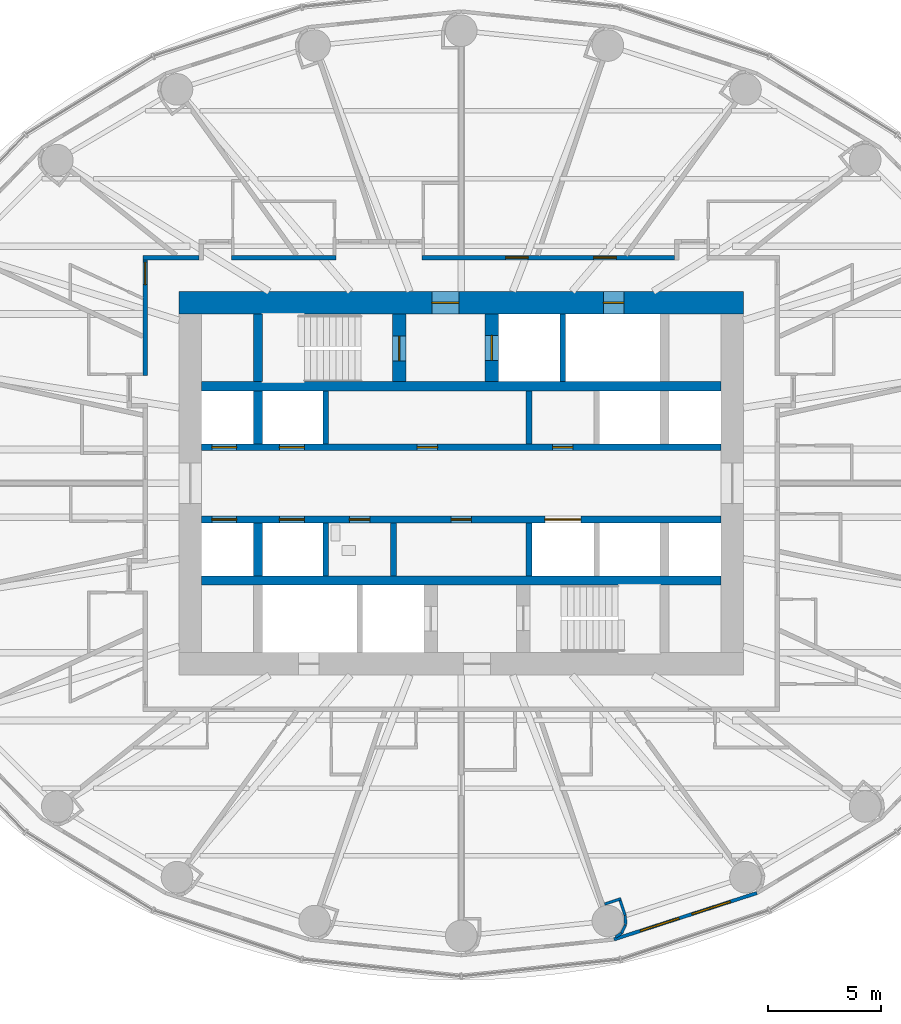
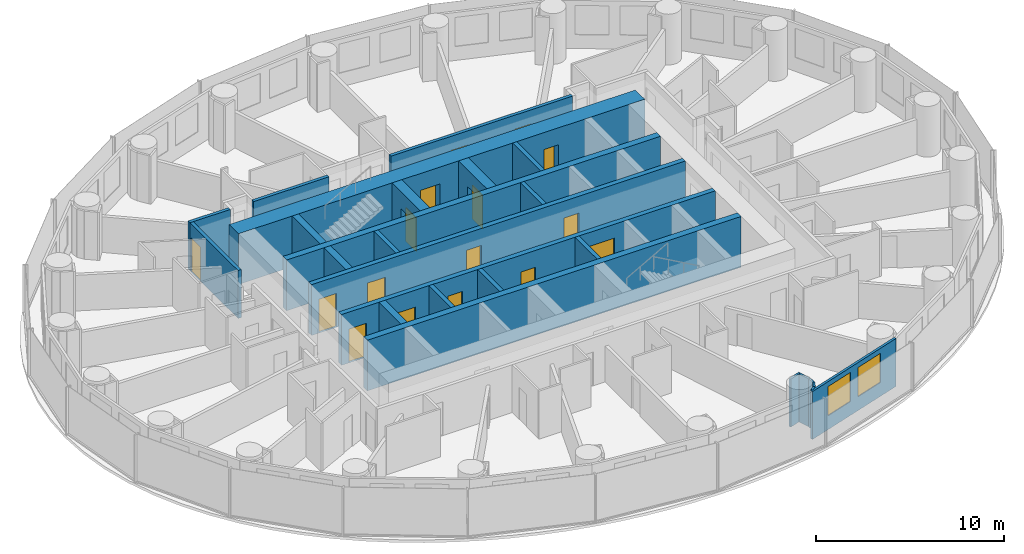
# One storey, part 9 of 16: 26 walls, 16 doors, 2 windows, 18 openings.
"""IFC4 building model written with IfcOpenShell, lengths in metres."""

import ifcopenshell
import ifcopenshell.guid

model = None  # the IFC model being written
_history = None  # IfcOwnerHistory: only IFC2X3 demands one
_inside = {}  # id of a spatial element -> (the spatial element, [elements in it])
_under = {}  # id of a project, library or spatial element -> (it, [spatial elements below it])
_declared = {}  # id of a project -> (the project, [libraries it declares])
_typed = {}  # id of a type object -> (the type object, [elements of that type])
_made_of = {}  # id of a material, layer set ... -> (it, [elements and type objects made of it])


def new_model(schema):
    """Start an empty IFC model of exactly this schema.

    Asked for "IFC4X3", IfcOpenShell would pick the latest addendum, in which some entities
    have other attributes; the version numbers below select the first issue.
    IFC2X3 requires an IfcOwnerHistory on every rooted entity: one is made here for all.
    """
    global model, _history
    if schema == "IFC4X3":
        model = ifcopenshell.file(schema_version=(4, 3, 0, 0))
    else:
        model = ifcopenshell.file(schema=schema)
    _inside.clear()
    _under.clear()
    _declared.clear()
    _typed.clear()
    _made_of.clear()
    _history = None
    if model.schema == "IFC2X3":
        org = make("IfcOrganization", Name="unknown")
        user = make(
            "IfcPersonAndOrganization",
            ThePerson=make("IfcPerson", FamilyName="unknown"),
            TheOrganization=org,
        )
        app = make(
            "IfcApplication",
            ApplicationDeveloper=org,
            Version="unknown",
            ApplicationFullName="unknown",
            ApplicationIdentifier="unknown",
        )
        _history = make(
            "IfcOwnerHistory",
            OwningUser=user,
            OwningApplication=app,
            ChangeAction="ADDED",
            CreationDate=0,
        )
    return model


def make(cls, **values):
    """One entity of the class cls with the attributes given. An attribute that is None is left unset."""
    return model.create_entity(
        cls, **{name: value for name, value in values.items() if value is not None}
    )


def rooted(cls, **values):
    """An entity with a GlobalId (a new one), such as an element, a storey or a relation."""
    return make(cls, GlobalId=ifcopenshell.guid.new(), OwnerHistory=_history, **values)


def si_unit(unit_type, name, prefix=None):
    """IfcSIUnit, for example si_unit("LENGTHUNIT", "METRE", prefix="MILLI")."""
    return make("IfcSIUnit", UnitType=unit_type, Prefix=prefix, Name=name)


def assignment(units):
    """IfcUnitAssignment: the units of a project."""
    return None if units is None else make("IfcUnitAssignment", Units=units)


def point(xyz):
    """IfcCartesianPoint."""
    return None if xyz is None else make("IfcCartesianPoint", Coordinates=xyz)


def direction(xyz):
    """IfcDirection."""
    return None if xyz is None else make("IfcDirection", DirectionRatios=xyz)


def frame(location, z_axis=None, x_axis=None):
    """IfcAxis2Placement3D, a coordinate frame: its origin and axes. An axis left out is left unset."""
    return make(
        "IfcAxis2Placement3D",
        Location=point(location),
        Axis=direction(z_axis),
        RefDirection=direction(x_axis),
    )


def frame_2d(location, x_axis=None):
    """IfcAxis2Placement2D, a coordinate frame in the plane: its origin and x axis."""
    return make(
        "IfcAxis2Placement2D", Location=point(location), RefDirection=direction(x_axis)
    )


def origin():
    """The frame at (0, 0, 0) with its axes left unset."""
    return frame((0.0, 0.0, 0.0))


def place(relative_to, where):
    """IfcLocalPlacement: puts the frame where relative to a parent placement (None: the world)."""
    return make(
        "IfcLocalPlacement", PlacementRelTo=relative_to, RelativePlacement=where
    )


def context(
    kind, dimensions, precision=None, world=None, true_north=None, identifier=None
):
    """IfcGeometricRepresentationContext, for example the 3D "Model" context."""
    return make(
        "IfcGeometricRepresentationContext",
        ContextIdentifier=identifier,
        ContextType=kind,
        CoordinateSpaceDimension=dimensions,
        Precision=precision,
        WorldCoordinateSystem=world,
        TrueNorth=true_north,
    )


def subcontext(parent, identifier, kind, view, scale=None):
    """IfcGeometricRepresentationSubContext, for example "Body" below "Model"."""
    return make(
        "IfcGeometricRepresentationSubContext",
        ContextIdentifier=identifier,
        ContextType=kind,
        ParentContext=parent,
        TargetScale=scale,
        TargetView=view,
    )


def project(units=None, contexts=None):
    """IfcProject with its units and contexts."""
    return rooted(
        "IfcProject",
        Name="project",
        RepresentationContexts=contexts,
        UnitsInContext=assignment(units),
    )


def spatial(cls, under=None, at=None, **own):
    """A site, building, storey or space (cls), placed at a placement, below another one or the project."""
    s = rooted(cls, ObjectPlacement=at, **own)
    if under is not None:
        _under.setdefault(under.id(), (under, []))[1].append(s)
    return s


def profile(cls, at=None, kind="AREA", **sizes):
    """A parametric profile (cls). Its sizes go by their IFC names, for example OverallWidth=200.0."""
    return make(cls, ProfileType=kind, Position=at, **sizes)


def rectangle(**sizes):
    """IfcRectangleProfileDef."""
    return profile("IfcRectangleProfileDef", **sizes)


def extrude(swept, where, along, depth):
    """IfcExtrudedAreaSolid: the profile swept, set in the frame where, extruded along a direction by depth."""
    return make(
        "IfcExtrudedAreaSolid",
        SweptArea=swept,
        Position=where,
        ExtrudedDirection=direction(along),
        Depth=depth,
    )


def shape(context_of_items, identifier, shape_type, items):
    """IfcShapeRepresentation: the items that make up one representation, for example the "Body"."""
    return make(
        "IfcShapeRepresentation",
        ContextOfItems=context_of_items,
        RepresentationIdentifier=identifier,
        RepresentationType=shape_type,
        Items=items,
    )


def material(Name=None, Category=None):
    """IfcMaterial."""
    return make("IfcMaterial", Name=Name, Category=Category)


def layer(
    of_material, thickness, ventilated=None, Name=None, Category=None, Priority=None
):
    """IfcMaterialLayer: one layer of a wall or slab, of a material (None: an air gap)."""
    return make(
        "IfcMaterialLayer",
        Material=of_material,
        LayerThickness=thickness,
        IsVentilated=ventilated,
        Name=Name,
        Category=Category,
        Priority=Priority,
    )


def layer_set(layers, Name=None):
    """IfcMaterialLayerSet."""
    return make("IfcMaterialLayerSet", MaterialLayers=layers, LayerSetName=Name)


def made_of(thing, what):
    """Note that an element or type object is made of a material, layer set ...; save() writes the relation."""
    if what is not None:
        _made_of.setdefault(what.id(), (what, []))[1].append(thing)
    return thing


def type_object(cls, material=None, **own):
    """A type object (cls), such as IfcWallType, which elements share."""
    return made_of(rooted(cls, **own), material)


def element(
    cls,
    number,
    at=None,
    inside=None,
    cuts=None,
    type_object=None,
    material=None,
    context=None,
    identifier="Body",
    shape_type=None,
    held_by="IfcProductDefinitionShape",
    body=None,
    shapes=None,
    **own,
):
    """One element of the class cls, such as IfcWall. Its Tag is "e" and its number.

    at: its placement. inside: the storey or other place that contains it. cuts: it is an
    opening in that element (IfcRelVoidsElement). A single representation is given by context,
    identifier, shape_type and body (its items); several are given by shapes. held_by: the class
    of the entity that holds the representations. save() writes the other relations.
    """
    e = rooted(cls, Tag="e%d" % number, ObjectPlacement=at, **own)
    if body is not None:
        shapes = [shape(context, identifier, shape_type, body)]
    if shapes is not None:
        e.Representation = make(held_by, Representations=shapes)
    if inside is not None:
        _inside.setdefault(inside.id(), (inside, []))[1].append(e)
    if cuts is not None:
        rooted(
            "IfcRelVoidsElement", RelatingBuildingElement=cuts, RelatedOpeningElement=e
        )
    if type_object is not None:
        _typed.setdefault(type_object.id(), (type_object, []))[1].append(e)
    return made_of(e, material)


def fill(opening, filler):
    """IfcRelFillsElement: the door or window that sits in an opening."""
    return rooted(
        "IfcRelFillsElement",
        RelatingOpeningElement=opening,
        RelatedBuildingElement=filler,
    )


def aggregate(whole, parts):
    """IfcRelAggregates: a whole, such as a stair, and the parts it consists of."""
    return rooted("IfcRelAggregates", RelatingObject=whole, RelatedObjects=parts)


def save(model, path):
    """Write the relations noted so far, then the file.

    IfcRelAggregates (storeys below a building ...), IfcRelContainedInSpatialStructure (elements
    in a storey), IfcRelDefinesByType, IfcRelAssociatesMaterial and IfcRelDeclares: one each for
    every whole, place, type object, material and project.
    """
    for whole, parts in _under.values():
        aggregate(whole, parts)
    for where, things in _inside.values():
        rooted(
            "IfcRelContainedInSpatialStructure",
            RelatedElements=things,
            RelatingStructure=where,
        )
    for kind, things in _typed.values():
        rooted("IfcRelDefinesByType", RelatedObjects=things, RelatingType=kind)
    for what, things in _made_of.values():
        rooted("IfcRelAssociatesMaterial", RelatedObjects=things, RelatingMaterial=what)
    for by, libraries in _declared.values():
        rooted("IfcRelDeclares", RelatingContext=by, RelatedDefinitions=libraries)
    model.write(path)


model = new_model("IFC4")

# Units and contexts
model_context = context("Model", 3, precision=1e-05, world=origin(), true_north=direction((0.0, 1.0)))
body_context = subcontext(model_context, "Body", "Model", "MODEL_VIEW")
ifc_project = project(units=[si_unit("LENGTHUNIT", "METRE"), si_unit("AREAUNIT", "SQUARE_METRE"), si_unit("VOLUMEUNIT", "CUBIC_METRE"), si_unit("PLANEANGLEUNIT", "RADIAN"), si_unit("MASSUNIT", "GRAM", prefix="KILO")], contexts=[model_context])

# Site, building, storey
site_placement = place(None, origin())
site = spatial("IfcSite", under=ifc_project, at=site_placement, CompositionType="ELEMENT")
building_placement = place(site_placement, origin())
building = spatial("IfcBuilding", under=site, at=building_placement, Name="Hankou Lantern Tower", CompositionType="ELEMENT")
storey_placement = place(building_placement, frame((0.0, 0.0, 70.5)))
storey = spatial("IfcBuildingStorey", under=building, at=storey_placement, Name="L17", CompositionType="ELEMENT", Elevation=70.5)

# Wall, openings, doors
ifc_material_1 = material(Name="Concrete C60", Category="concrete")
ifc_layer_1 = layer(ifc_material_1, 1.0)
ifc_layer_set_1 = layer_set([ifc_layer_1], Name="Concrete C60")
wall_type_1 = type_object("IfcWallType", Name="CW1 CORE WALL 1000", PredefinedType="SHEAR", material=ifc_layer_set_1)
wall_1_placement = place(storey_placement, frame((-12.5, 8.0, 0.0), z_axis=(0.0, 0.0, 1.0), x_axis=(1.0, 0.0, 0.0)))
wall_1 = element("IfcWall", 1, at=wall_1_placement, inside=storey, type_object=wall_type_1, Name="Core wall north L17", PredefinedType="SHEAR", context=body_context, shape_type="SweptSolid", body=[
    extrude(rectangle(XDim=25.0, YDim=1.0, at=frame_2d((12.5, 0.0))), origin(), (0.0, 0.0, 1.0), 3.300048828125),
])
opening_1_placement = place(wall_1_placement, frame((11.199951171875, 0.0, 0.0)))
opening_1 = element("IfcOpeningElement", 2, at=opening_1_placement, cuts=wall_1, Name="Opening D5", PredefinedType="OPENING", context=body_context, shape_type="SweptSolid", body=[
    extrude(rectangle(XDim=1.199951171875, YDim=2.199951171875, at=frame_2d((0.60009765625, 1.10009765625))), frame((0.0, 0.510009765625, 0.0), z_axis=(0.0, -1.0, 0.0), x_axis=(1.0, 0.0, 0.0)), (0.0, 0.0, 1.0), 1.02001953125),
])
opening_2_placement = place(wall_1_placement, frame((18.800048828125, 0.0, 0.0)))
opening_2 = element("IfcOpeningElement", 3, at=opening_2_placement, cuts=wall_1, Name="Opening D7", PredefinedType="OPENING", context=body_context, shape_type="SweptSolid", body=[
    extrude(rectangle(XDim=0.89990234375, YDim=2.199951171875, at=frame_2d((0.449951171875, 1.10009765625))), frame((0.0, 0.510009765625, 0.0), z_axis=(0.0, -1.0, 0.0), x_axis=(1.0, 0.0, 0.0)), (0.0, 0.0, 1.0), 1.02001953125),
])
ifc_material_2 = material(Name="Steel door leaf", Category="steel")
door_type_1 = type_object("IfcDoorType", Name="D5 STAIR LOBBY DOOR 1200X2200", OperationType="SINGLE_SWING_LEFT", PredefinedType="DOOR", material=ifc_material_2)
door_1_placement = place(opening_1_placement, origin())
door_1 = element("IfcDoor", 4, at=door_1_placement, inside=storey, type_object=door_type_1, Name="Stair A lobby door", OperationType="SINGLE_SWING_LEFT", OverallHeight=2.199951171875, OverallWidth=1.199951171875, PredefinedType="DOOR", context=body_context, shape_type="SweptSolid", body=[
    extrude(rectangle(XDim=1.199951171875, YDim=2.199951171875, at=frame_2d((0.60009765625, 1.10009765625))), frame((0.0, 0.02490234375, 0.0), z_axis=(0.0, -1.0, 0.0), x_axis=(1.0, 0.0, 0.0)), (0.0, 0.0, 1.0), 0.050048828125),
])
fill(opening_1, door_1)
ifc_material_3 = material(Name="Steel door leaf", Category="steel")
door_type_2 = type_object("IfcDoorType", Name="D7 RISER DOOR 900X2200", OperationType="SINGLE_SWING_LEFT", PredefinedType="DOOR", material=ifc_material_3)
door_2_placement = place(opening_2_placement, origin())
door_2 = element("IfcDoor", 5, at=door_2_placement, inside=storey, type_object=door_type_2, Name="Riser N1 door", OperationType="SINGLE_SWING_RIGHT", OverallHeight=2.199951171875, OverallWidth=0.89990234375, PredefinedType="DOOR", context=body_context, shape_type="SweptSolid", body=[
    extrude(rectangle(XDim=0.89990234375, YDim=2.199951171875, at=frame_2d((0.449951171875, 1.10009765625))), frame((0.0, 0.02490234375, 0.0), z_axis=(0.0, -1.0, 0.0), x_axis=(1.0, 0.0, 0.0)), (0.0, 0.0, 1.0), 0.050048828125),
])
fill(opening_2, door_2)

# Walls
ifc_material_4 = material(Name="Concrete C60", Category="concrete")
ifc_layer_2 = layer(ifc_material_4, 0.39990234375)
ifc_layer_set_2 = layer_set([ifc_layer_2], Name="Concrete C60")
wall_type_2 = type_object("IfcWallType", Name="CW4 CORE CROSS WALL 400", PredefinedType="SHEAR", material=ifc_layer_set_2)
for number, where, z_axis, x_axis, name in (
    (6, (-11.5, 4.300048828125, 0.0), (0.0, 0.0, 1.0), (1.0, 0.0, 0.0), "Core band wall north L17"),
    (7, (-11.5, -4.300048828125, 0.0), (0.0, 0.0, 1.0), (1.0, 0.0, 0.0), "Core band wall south L17"),
):
    element("IfcWall", number, at=place(storey_placement, frame(where, z_axis=z_axis, x_axis=x_axis)), inside=storey, type_object=wall_type_2, Name=name, PredefinedType="SHEAR", context=body_context, shape_type="SweptSolid", body=[
        extrude(rectangle(XDim=23.0, YDim=0.39990234375, at=frame_2d((11.5, 0.0))), origin(), (0.0, 0.0, 1.0), 3.300048828125),
    ])
wall_2_placement = place(storey_placement, frame((-9.0, 4.5, 0.0), z_axis=(0.0, 0.0, 1.0), x_axis=(0.0, 1.0, 0.0)))
element("IfcWall", 8, at=wall_2_placement, inside=storey, type_object=wall_type_2, Name="Core strip wall L17", PredefinedType="SHEAR", context=body_context, shape_type="SweptSolid", body=[
    extrude(rectangle(XDim=3.0, YDim=0.39990234375, at=frame_2d((1.5, 0.0))), origin(), (0.0, 0.0, 1.0), 3.300048828125),
])
for number, where, z_axis, x_axis, name in (
    (9, (-9.0, 1.75, 0.0), (0.0, 0.0, 1.0), (0.0, 1.0, 0.0), "Core strip wall L17"),
    (10, (-9.0, -4.10009765625, 0.0), (0.0, 0.0, 1.0), (0.0, 1.0, 0.0), "Core strip wall L17"),
):
    element("IfcWall", number, at=place(storey_placement, frame(where, z_axis=z_axis, x_axis=x_axis)), inside=storey, type_object=wall_type_2, Name=name, PredefinedType="SHEAR", context=body_context, shape_type="SweptSolid", body=[
        extrude(rectangle(XDim=2.35009765625, YDim=0.39990234375, at=frame_2d((1.175048828125, 0.0))), origin(), (0.0, 0.0, 1.0), 3.300048828125),
    ])

# Wall, openings, doors
ifc_material_5 = material(Name="Concrete C60", Category="concrete")
ifc_layer_3 = layer(ifc_material_5, 0.300048828125)
ifc_layer_set_3 = layer_set([ifc_layer_3], Name="Concrete C60")
wall_type_3 = type_object("IfcWallType", Name="CW5 LIFT LOBBY WALL 300", PredefinedType="SHEAR", material=ifc_layer_set_3)
wall_3_placement = place(storey_placement, frame((-11.5, 1.60009765625, 0.0), z_axis=(0.0, 0.0, 1.0), x_axis=(1.0, 0.0, 0.0)))
wall_3 = element("IfcWall", 11, at=wall_3_placement, inside=storey, type_object=wall_type_3, Name="Lift lobby wall north L17", PredefinedType="SHEAR", context=body_context, shape_type="SweptSolid", body=[
    extrude(rectangle(XDim=23.0, YDim=0.300048828125, at=frame_2d((11.5, 0.0))), origin(), (0.0, 0.0, 1.0), 3.300048828125),
])
opening_3_placement = place(wall_3_placement, frame((0.449951171875, 0.0, 0.0)))
opening_3 = element("IfcOpeningElement", 12, at=opening_3_placement, cuts=wall_3, Name="Opening LD1", PredefinedType="OPENING", context=body_context, shape_type="SweptSolid", body=[
    extrude(rectangle(XDim=1.10009765625, YDim=2.199951171875, at=frame_2d((0.550048828125, 1.10009765625))), frame((0.0, 0.159912109375, 0.0), z_axis=(0.0, -1.0, 0.0), x_axis=(1.0, 0.0, 0.0)), (0.0, 0.0, 1.0), 0.320068359375),
])
opening_4_placement = place(wall_3_placement, frame((3.449951171875, 0.0, 0.0)))
opening_4 = element("IfcOpeningElement", 13, at=opening_4_placement, cuts=wall_3, Name="Opening LD1", PredefinedType="OPENING", context=body_context, shape_type="SweptSolid", body=[
    extrude(rectangle(XDim=1.10009765625, YDim=2.199951171875, at=frame_2d((0.550048828125, 1.10009765625))), frame((0.0, 0.159912109375, 0.0), z_axis=(0.0, -1.0, 0.0), x_axis=(1.0, 0.0, 0.0)), (0.0, 0.0, 1.0), 0.320068359375),
])
opening_5_placement = place(wall_3_placement, frame((9.550048828125, 0.0, 0.0)))
opening_5 = element("IfcOpeningElement", 14, at=opening_5_placement, cuts=wall_3, Name="Opening D30", PredefinedType="OPENING", context=body_context, shape_type="SweptSolid", body=[
    extrude(rectangle(XDim=0.89990234375, YDim=2.199951171875, at=frame_2d((0.449951171875, 1.10009765625))), frame((0.0, 0.159912109375, 0.0), z_axis=(0.0, -1.0, 0.0), x_axis=(1.0, 0.0, 0.0)), (0.0, 0.0, 1.0), 0.320068359375),
])
opening_6_placement = place(wall_3_placement, frame((15.550048828125, 0.0, 0.0)))
opening_6 = element("IfcOpeningElement", 15, at=opening_6_placement, cuts=wall_3, Name="Opening D30", PredefinedType="OPENING", context=body_context, shape_type="SweptSolid", body=[
    extrude(rectangle(XDim=0.89990234375, YDim=2.199951171875, at=frame_2d((0.449951171875, 1.10009765625))), frame((0.0, 0.159912109375, 0.0), z_axis=(0.0, -1.0, 0.0), x_axis=(1.0, 0.0, 0.0)), (0.0, 0.0, 1.0), 0.320068359375),
])
ifc_material_6 = material(Name="Steel door leaf", Category="steel")
door_type_3 = type_object("IfcDoorType", Name="D30 CORE ROOM DOOR 900X2200", OperationType="SINGLE_SWING_LEFT", PredefinedType="DOOR", material=ifc_material_6)
door_3_placement = place(opening_5_placement, origin())
door_3 = element("IfcDoor", 16, at=door_3_placement, inside=storey, type_object=door_type_3, Name="Vending room door", OperationType="SINGLE_SWING_LEFT", OverallHeight=2.199951171875, OverallWidth=0.89990234375, PredefinedType="DOOR", context=body_context, shape_type="SweptSolid", body=[
    extrude(rectangle(XDim=0.89990234375, YDim=2.199951171875, at=frame_2d((0.449951171875, 1.10009765625))), frame((0.0, 0.02490234375, 0.0), z_axis=(0.0, -1.0, 0.0), x_axis=(1.0, 0.0, 0.0)), (0.0, 0.0, 1.0), 0.050048828125),
])
fill(opening_5, door_3)
door_4_placement = place(opening_6_placement, origin())
door_4 = element("IfcDoor", 17, at=door_4_placement, inside=storey, type_object=door_type_3, Name="Room service pantry door", OperationType="SINGLE_SWING_RIGHT", OverallHeight=2.199951171875, OverallWidth=0.89990234375, PredefinedType="DOOR", context=body_context, shape_type="SweptSolid", body=[
    extrude(rectangle(XDim=0.89990234375, YDim=2.199951171875, at=frame_2d((0.449951171875, 1.10009765625))), frame((0.0, 0.02490234375, 0.0), z_axis=(0.0, -1.0, 0.0), x_axis=(1.0, 0.0, 0.0)), (0.0, 0.0, 1.0), 0.050048828125),
])
fill(opening_6, door_4)
ifc_material_7 = material(Name="Steel door leaf", Category="steel")
door_type_4 = type_object("IfcDoorType", Name="LD1 LIFT LANDING DOOR 1100X2200", OperationType="DOUBLE_DOOR_SLIDING", PredefinedType="DOOR", material=ifc_material_7)
door_5_placement = place(opening_3_placement, origin())
door_5 = element("IfcDoor", 18, at=door_5_placement, inside=storey, type_object=door_type_4, Name="Lift L1 landing door", OperationType="DOUBLE_DOOR_SLIDING", OverallHeight=2.199951171875, OverallWidth=1.10009765625, PredefinedType="DOOR", context=body_context, shape_type="SweptSolid", body=[
    extrude(rectangle(XDim=1.10009765625, YDim=2.199951171875, at=frame_2d((0.550048828125, 1.10009765625))), frame((0.0, 0.02490234375, 0.0), z_axis=(0.0, -1.0, 0.0), x_axis=(1.0, 0.0, 0.0)), (0.0, 0.0, 1.0), 0.050048828125),
])
fill(opening_3, door_5)
door_6_placement = place(opening_4_placement, origin())
door_6 = element("IfcDoor", 19, at=door_6_placement, inside=storey, type_object=door_type_4, Name="Lift L2 landing door", OperationType="DOUBLE_DOOR_SLIDING", OverallHeight=2.199951171875, OverallWidth=1.10009765625, PredefinedType="DOOR", context=body_context, shape_type="SweptSolid", body=[
    extrude(rectangle(XDim=1.10009765625, YDim=2.199951171875, at=frame_2d((0.550048828125, 1.10009765625))), frame((0.0, 0.02490234375, 0.0), z_axis=(0.0, -1.0, 0.0), x_axis=(1.0, 0.0, 0.0)), (0.0, 0.0, 1.0), 0.050048828125),
])
fill(opening_4, door_6)

wall_4_placement = place(storey_placement, frame((-11.5, -1.60009765625, 0.0), z_axis=(0.0, 0.0, 1.0), x_axis=(1.0, 0.0, 0.0)))
wall_4 = element("IfcWall", 20, at=wall_4_placement, inside=storey, type_object=wall_type_3, Name="Lift lobby wall south L17", PredefinedType="SHEAR", context=body_context, shape_type="SweptSolid", body=[
    extrude(rectangle(XDim=23.0, YDim=0.300048828125, at=frame_2d((11.5, 0.0))), origin(), (0.0, 0.0, 1.0), 3.300048828125),
])
opening_7_placement = place(wall_4_placement, frame((0.449951171875, 0.0, 0.0)))
opening_7 = element("IfcOpeningElement", 21, at=opening_7_placement, cuts=wall_4, Name="Opening LD1", PredefinedType="OPENING", context=body_context, shape_type="SweptSolid", body=[
    extrude(rectangle(XDim=1.10009765625, YDim=2.199951171875, at=frame_2d((0.550048828125, 1.10009765625))), frame((0.0, 0.159912109375, 0.0), z_axis=(0.0, -1.0, 0.0), x_axis=(1.0, 0.0, 0.0)), (0.0, 0.0, 1.0), 0.320068359375),
])
opening_8_placement = place(wall_4_placement, frame((3.449951171875, 0.0, 0.0)))
opening_8 = element("IfcOpeningElement", 22, at=opening_8_placement, cuts=wall_4, Name="Opening LD1", PredefinedType="OPENING", context=body_context, shape_type="SweptSolid", body=[
    extrude(rectangle(XDim=1.10009765625, YDim=2.199951171875, at=frame_2d((0.550048828125, 1.10009765625))), frame((0.0, 0.159912109375, 0.0), z_axis=(0.0, -1.0, 0.0), x_axis=(1.0, 0.0, 0.0)), (0.0, 0.0, 1.0), 0.320068359375),
])
opening_9_placement = place(wall_4_placement, frame((15.199951171875, 0.0, 0.0)))
opening_9 = element("IfcOpeningElement", 23, at=opening_9_placement, cuts=wall_4, Name="Opening LD4", PredefinedType="OPENING", context=body_context, shape_type="SweptSolid", body=[
    extrude(rectangle(XDim=1.60009765625, YDim=2.39990234375, at=frame_2d((0.800048828125, 1.199951171875))), frame((0.0, 0.159912109375, 0.0), z_axis=(0.0, -1.0, 0.0), x_axis=(1.0, 0.0, 0.0)), (0.0, 0.0, 1.0), 0.320068359375),
])
opening_10_placement = place(wall_4_placement, frame((6.550048828125, 0.0, 0.0)))
opening_10 = element("IfcOpeningElement", 24, at=opening_10_placement, cuts=wall_4, Name="Opening D30", PredefinedType="OPENING", context=body_context, shape_type="SweptSolid", body=[
    extrude(rectangle(XDim=0.89990234375, YDim=2.199951171875, at=frame_2d((0.449951171875, 1.10009765625))), frame((0.0, 0.159912109375, 0.0), z_axis=(0.0, -1.0, 0.0), x_axis=(1.0, 0.0, 0.0)), (0.0, 0.0, 1.0), 0.320068359375),
])
opening_11_placement = place(wall_4_placement, frame((11.050048828125, 0.0, 0.0)))
opening_11 = element("IfcOpeningElement", 25, at=opening_11_placement, cuts=wall_4, Name="Opening D30", PredefinedType="OPENING", context=body_context, shape_type="SweptSolid", body=[
    extrude(rectangle(XDim=0.89990234375, YDim=2.199951171875, at=frame_2d((0.449951171875, 1.10009765625))), frame((0.0, 0.159912109375, 0.0), z_axis=(0.0, -1.0, 0.0), x_axis=(1.0, 0.0, 0.0)), (0.0, 0.0, 1.0), 0.320068359375),
])
door_7_placement = place(opening_10_placement, origin())
door_7 = element("IfcDoor", 26, at=door_7_placement, inside=storey, type_object=door_type_3, Name="Accessible staff WC door", OperationType="SINGLE_SWING_LEFT", OverallHeight=2.199951171875, OverallWidth=0.89990234375, PredefinedType="DOOR", context=body_context, shape_type="SweptSolid", body=[
    extrude(rectangle(XDim=0.89990234375, YDim=2.199951171875, at=frame_2d((0.449951171875, 1.10009765625))), frame((0.0, 0.02490234375, 0.0), z_axis=(0.0, -1.0, 0.0), x_axis=(1.0, 0.0, 0.0)), (0.0, 0.0, 1.0), 0.050048828125),
])
fill(opening_10, door_7)
door_8_placement = place(opening_11_placement, origin())
door_8 = element("IfcDoor", 27, at=door_8_placement, inside=storey, type_object=door_type_3, Name="Housekeeping and linen store door", OperationType="SINGLE_SWING_LEFT", OverallHeight=2.199951171875, OverallWidth=0.89990234375, PredefinedType="DOOR", context=body_context, shape_type="SweptSolid", body=[
    extrude(rectangle(XDim=0.89990234375, YDim=2.199951171875, at=frame_2d((0.449951171875, 1.10009765625))), frame((0.0, 0.02490234375, 0.0), z_axis=(0.0, -1.0, 0.0), x_axis=(1.0, 0.0, 0.0)), (0.0, 0.0, 1.0), 0.050048828125),
])
fill(opening_11, door_8)
door_9_placement = place(opening_7_placement, origin())
door_9 = element("IfcDoor", 28, at=door_9_placement, inside=storey, type_object=door_type_4, Name="Lift L3 landing door", OperationType="DOUBLE_DOOR_SLIDING", OverallHeight=2.199951171875, OverallWidth=1.10009765625, PredefinedType="DOOR", context=body_context, shape_type="SweptSolid", body=[
    extrude(rectangle(XDim=1.10009765625, YDim=2.199951171875, at=frame_2d((0.550048828125, 1.10009765625))), frame((0.0, 0.02490234375, 0.0), z_axis=(0.0, -1.0, 0.0), x_axis=(1.0, 0.0, 0.0)), (0.0, 0.0, 1.0), 0.050048828125),
])
fill(opening_7, door_9)
door_10_placement = place(opening_8_placement, origin())
door_10 = element("IfcDoor", 29, at=door_10_placement, inside=storey, type_object=door_type_4, Name="Lift L4 landing door", OperationType="DOUBLE_DOOR_SLIDING", OverallHeight=2.199951171875, OverallWidth=1.10009765625, PredefinedType="DOOR", context=body_context, shape_type="SweptSolid", body=[
    extrude(rectangle(XDim=1.10009765625, YDim=2.199951171875, at=frame_2d((0.550048828125, 1.10009765625))), frame((0.0, 0.02490234375, 0.0), z_axis=(0.0, -1.0, 0.0), x_axis=(1.0, 0.0, 0.0)), (0.0, 0.0, 1.0), 0.050048828125),
])
fill(opening_8, door_10)
ifc_material_8 = material(Name="Steel door leaf", Category="steel")
door_type_5 = type_object("IfcDoorType", Name="LD4 SERVICE LIFT LANDING DOOR 1600X2400", OperationType="DOUBLE_DOOR_SLIDING", PredefinedType="DOOR", material=ifc_material_8)
door_11_placement = place(opening_9_placement, origin())
door_11 = element("IfcDoor", 30, at=door_11_placement, inside=storey, type_object=door_type_5, Name="Lift SV1 landing door", OperationType="DOUBLE_DOOR_SLIDING", OverallHeight=2.39990234375, OverallWidth=1.60009765625, PredefinedType="DOOR", context=body_context, shape_type="SweptSolid", body=[
    extrude(rectangle(XDim=1.60009765625, YDim=2.39990234375, at=frame_2d((0.800048828125, 1.199951171875))), frame((0.0, 0.02490234375, 0.0), z_axis=(0.0, -1.0, 0.0), x_axis=(1.0, 0.0, 0.0)), (0.0, 0.0, 1.0), 0.050048828125),
])
fill(opening_9, door_11)

# Wall, opening, door
ifc_material_9 = material(Name="Concrete C60", Category="concrete")
ifc_layer_4 = layer(ifc_material_9, 0.60009765625)
ifc_layer_set_4 = layer_set([ifc_layer_4], Name="Concrete C60")
wall_type_4 = type_object("IfcWallType", Name="CW6 STAIR AND SHAFT WALL 600", PredefinedType="SHEAR", material=ifc_layer_set_4)
wall_5_placement = place(storey_placement, frame((-2.75, 4.5, 0.0), z_axis=(0.0, 0.0, 1.0), x_axis=(0.0, 1.0, 0.0)))
wall_5 = element("IfcWall", 31, at=wall_5_placement, inside=storey, type_object=wall_type_4, Name="Stair wall L17", PredefinedType="SHEAR", context=body_context, shape_type="SweptSolid", body=[
    extrude(rectangle(XDim=3.0, YDim=0.60009765625, at=frame_2d((1.5, 0.0))), origin(), (0.0, 0.0, 1.0), 3.300048828125),
])
opening_12_placement = place(wall_5_placement, frame((0.925048828125, 0.0, 0.0)))
opening_12 = element("IfcOpeningElement", 32, at=opening_12_placement, cuts=wall_5, Name="Opening D4", PredefinedType="OPENING", context=body_context, shape_type="SweptSolid", body=[
    extrude(rectangle(XDim=1.10009765625, YDim=2.199951171875, at=frame_2d((0.550048828125, 1.10009765625))), frame((0.0, 0.31005859375, 0.0), z_axis=(0.0, -1.0, 0.0), x_axis=(1.0, 0.0, 0.0)), (0.0, 0.0, 1.0), 0.6201171875),
])
ifc_material_10 = material(Name="Steel door leaf", Category="steel")
door_type_6 = type_object("IfcDoorType", Name="D4 STAIR DOOR 1100X2200", OperationType="SINGLE_SWING_LEFT", PredefinedType="DOOR", material=ifc_material_10)
door_12_placement = place(opening_12_placement, origin())
door_12 = element("IfcDoor", 33, at=door_12_placement, inside=storey, type_object=door_type_6, Name="Stair A door", OperationType="SINGLE_SWING_LEFT", OverallHeight=2.199951171875, OverallWidth=1.10009765625, PredefinedType="DOOR", context=body_context, shape_type="SweptSolid", body=[
    extrude(rectangle(XDim=1.10009765625, YDim=2.199951171875, at=frame_2d((0.550048828125, 1.10009765625))), frame((0.0, 0.02490234375, 0.0), z_axis=(0.0, -1.0, 0.0), x_axis=(1.0, 0.0, 0.0)), (0.0, 0.0, 1.0), 0.050048828125),
])
fill(opening_12, door_12)

wall_6_placement = place(storey_placement, frame((1.35009765625, 4.5, 0.0), z_axis=(0.0, 0.0, 1.0), x_axis=(0.0, 1.0, 0.0)))
wall_6 = element("IfcWall", 34, at=wall_6_placement, inside=storey, type_object=wall_type_4, Name="Firefighting lift shaft wall L17", PredefinedType="SHEAR", context=body_context, shape_type="SweptSolid", body=[
    extrude(rectangle(XDim=3.0, YDim=0.60009765625, at=frame_2d((1.5, 0.0))), origin(), (0.0, 0.0, 1.0), 3.300048828125),
])
opening_13_placement = place(wall_6_placement, frame((0.949951171875, 0.0, 0.0)))
opening_13 = element("IfcOpeningElement", 35, at=opening_13_placement, cuts=wall_6, Name="Opening LD2", PredefinedType="OPENING", context=body_context, shape_type="SweptSolid", body=[
    extrude(rectangle(XDim=1.10009765625, YDim=2.199951171875, at=frame_2d((0.550048828125, 1.10009765625))), frame((0.0, 0.31005859375, 0.0), z_axis=(0.0, -1.0, 0.0), x_axis=(1.0, 0.0, 0.0)), (0.0, 0.0, 1.0), 0.6201171875),
])
ifc_material_11 = material(Name="Steel door leaf", Category="steel")
door_type_7 = type_object("IfcDoorType", Name="LD2 FIREFIGHTING LIFT LANDING DOOR 1100X2200", OperationType="DOUBLE_DOOR_SLIDING", PredefinedType="DOOR", material=ifc_material_11)
door_13_placement = place(opening_13_placement, origin())
door_13 = element("IfcDoor", 36, at=door_13_placement, inside=storey, type_object=door_type_7, Name="Firefighting lift FL1 landing door", OperationType="DOUBLE_DOOR_SLIDING", OverallHeight=2.199951171875, OverallWidth=1.10009765625, PredefinedType="DOOR", context=body_context, shape_type="SweptSolid", body=[
    extrude(rectangle(XDim=1.10009765625, YDim=2.199951171875, at=frame_2d((0.550048828125, 1.10009765625))), frame((0.0, 0.02490234375, 0.0), z_axis=(0.0, -1.0, 0.0), x_axis=(1.0, 0.0, 0.0)), (0.0, 0.0, 1.0), 0.050048828125),
])
fill(opening_13, door_13)

# Wall, openings, windows
ifc_material_12 = material(Name="Aluminium spandrel panel on steel studs", Category="steel")
ifc_layer_5 = layer(ifc_material_12, 0.14990234375)
ifc_layer_set_5 = layer_set([ifc_layer_5], Name="Aluminium spandrel panel on steel studs")
wall_type_5 = type_object("IfcWallType", Name="EW1 INNER SKIN WALL 150", PredefinedType="ELEMENTEDWALL", material=ifc_layer_set_5)
wall_7_placement = place(storey_placement, frame((6.766357421875, -20.201904296875, 0.0), z_axis=(0.0, 0.0, 1.0), x_axis=(0.951137534625, 0.308767534285, 0.0)))
wall_7 = element("IfcWall", 37, at=wall_7_placement, inside=storey, type_object=wall_type_5, Name="Inner skin R20-R21 L17", PredefinedType="ELEMENTEDWALL", context=body_context, shape_type="SweptSolid", body=[
    extrude(rectangle(XDim=6.6552734375, YDim=0.14990234375, at=frame_2d((3.32763671875, 0.0))), origin(), (0.0, 0.0, 1.0), 3.1201171875),
])
opening_14_placement = place(wall_7_placement, frame((1.2275390625, 0.0, 0.89990234375)))
opening_14 = element("IfcOpeningElement", 38, at=opening_14_placement, cuts=wall_7, Name="Opening W1", PredefinedType="OPENING", context=body_context, shape_type="SweptSolid", body=[
    extrude(rectangle(XDim=1.800048828125, YDim=1.89990234375, at=frame_2d((0.89990234375, 0.949951171875))), frame((0.0, 0.0849609375, 0.0), z_axis=(0.0, -1.0, 0.0), x_axis=(1.0, 0.0, 0.0)), (0.0, 0.0, 1.0), 0.169921875),
])
opening_15_placement = place(wall_7_placement, frame((3.627685546875, 0.0, 0.89990234375)))
opening_15 = element("IfcOpeningElement", 39, at=opening_15_placement, cuts=wall_7, Name="Opening W1", PredefinedType="OPENING", context=body_context, shape_type="SweptSolid", body=[
    extrude(rectangle(XDim=1.800048828125, YDim=1.89990234375, at=frame_2d((0.89990234375, 0.949951171875))), frame((0.0, 0.0849609375, 0.0), z_axis=(0.0, -1.0, 0.0), x_axis=(1.0, 0.0, 0.0)), (0.0, 0.0, 1.0), 0.169921875),
])
ifc_material_13 = material(Name="Aluminium framed double glazed window", Category="aluminium")
window_type = type_object("IfcWindowType", Name="W1 GUEST ROOM WINDOW 1800X1900", PartitioningType="DOUBLE_PANEL_VERTICAL", PredefinedType="WINDOW", material=ifc_material_13)
window_1_placement = place(opening_14_placement, origin())
window_1 = element("IfcWindow", 40, at=window_1_placement, inside=storey, type_object=window_type, Name="Window R20.1 L17", OverallHeight=1.89990234375, OverallWidth=1.800048828125, PartitioningType="SINGLE_PANEL", PredefinedType="WINDOW", context=body_context, shape_type="SweptSolid", body=[
    extrude(rectangle(XDim=1.800048828125, YDim=1.89990234375, at=frame_2d((0.89990234375, 0.949951171875))), frame((0.0, 0.030029296875, 0.0), z_axis=(0.0, -1.0, 0.0), x_axis=(1.0, 0.0, 0.0)), (0.0, 0.0, 1.0), 0.06005859375),
])
fill(opening_14, window_1)
window_2_placement = place(opening_15_placement, origin())
window_2 = element("IfcWindow", 41, at=window_2_placement, inside=storey, type_object=window_type, Name="Window R20.2 L17", OverallHeight=1.89990234375, OverallWidth=1.800048828125, PartitioningType="SINGLE_PANEL", PredefinedType="WINDOW", context=body_context, shape_type="SweptSolid", body=[
    extrude(rectangle(XDim=1.800048828125, YDim=1.89990234375, at=frame_2d((0.89990234375, 0.949951171875))), frame((0.0, 0.030029296875, 0.0), z_axis=(0.0, -1.0, 0.0), x_axis=(1.0, 0.0, 0.0)), (0.0, 0.0, 1.0), 0.06005859375),
])
fill(opening_15, window_2)

# Walls
ifc_material_14 = material(Name="Masonry lightweight concrete block", Category="masonry")
ifc_layer_6 = layer(ifc_material_14, 0.199951171875)
ifc_layer_set_6 = layer_set([ifc_layer_6], Name="Masonry lightweight concrete block")
wall_type_6 = type_object("IfcWallType", Name="IW2 CORRIDOR WALL 200", PredefinedType="PARTITIONING", material=ifc_layer_set_6)
wall_8_placement = place(storey_placement, frame((-14.10009765625, 10.0, 0.0), z_axis=(0.0, 0.0, 1.0), x_axis=(1.0, 0.0, 0.0)))
element("IfcWall", 42, at=wall_8_placement, inside=storey, type_object=wall_type_6, Name="Corridor wall north", PredefinedType="PARTITIONING", context=body_context, shape_type="SweptSolid", body=[
    extrude(rectangle(XDim=2.48095703125, YDim=0.199951171875, at=frame_2d((1.240478515625, 0.0))), origin(), (0.0, 0.0, 1.0), 3.1201171875),
])
wall_9_placement = place(storey_placement, frame((-10.178955078125, 10.0, 0.0), z_axis=(0.0, 0.0, 1.0), x_axis=(1.0, 0.0, 0.0)))
element("IfcWall", 43, at=wall_9_placement, inside=storey, type_object=wall_type_6, Name="Corridor wall north", PredefinedType="PARTITIONING", context=body_context, shape_type="SweptSolid", body=[
    extrude(rectangle(XDim=4.6298828125, YDim=0.199951171875, at=frame_2d((2.31494140625, 0.0))), origin(), (0.0, 0.0, 1.0), 3.1201171875),
])

# Wall, openings, doors
wall_10_placement = place(storey_placement, frame((-1.739990234375, 10.0, 0.0), z_axis=(0.0, 0.0, 1.0), x_axis=(1.0, 0.0, 0.0)))
wall_10 = element("IfcWall", 44, at=wall_10_placement, inside=storey, type_object=wall_type_6, Name="Corridor wall north", PredefinedType="PARTITIONING", context=body_context, shape_type="SweptSolid", body=[
    extrude(rectangle(XDim=11.18505859375, YDim=0.199951171875, at=frame_2d((5.592529296875, 0.0))), origin(), (0.0, 0.0, 1.0), 3.1201171875),
])
opening_16_placement = place(wall_10_placement, frame((7.609130859375, 0.0, 0.0)))
opening_16 = element("IfcOpeningElement", 45, at=opening_16_placement, cuts=wall_10, Name="Opening D28", PredefinedType="OPENING", context=body_context, shape_type="SweptSolid", body=[
    extrude(rectangle(XDim=1.0, YDim=2.199951171875, at=frame_2d((0.5, 1.10009765625))), frame((0.0, 0.10986328125, 0.0), z_axis=(0.0, -1.0, 0.0), x_axis=(1.0, 0.0, 0.0)), (0.0, 0.0, 1.0), 0.219970703125),
])
opening_17_placement = place(wall_10_placement, frame((3.702880859375, 0.0, 0.0)))
opening_17 = element("IfcOpeningElement", 46, at=opening_17_placement, cuts=wall_10, Name="Opening D28", PredefinedType="OPENING", context=body_context, shape_type="SweptSolid", body=[
    extrude(rectangle(XDim=1.0, YDim=2.199951171875, at=frame_2d((0.5, 1.10009765625))), frame((0.0, 0.10986328125, 0.0), z_axis=(0.0, -1.0, 0.0), x_axis=(1.0, 0.0, 0.0)), (0.0, 0.0, 1.0), 0.219970703125),
])
ifc_material_15 = material(Name="Steel door leaf", Category="steel")
door_type_8 = type_object("IfcDoorType", Name="D28 SERVICE DOOR 1000X2200", OperationType="SINGLE_SWING_LEFT", PredefinedType="DOOR", material=ifc_material_15)
door_14_placement = place(opening_16_placement, origin())
door_14 = element("IfcDoor", 47, at=door_14_placement, inside=storey, type_object=door_type_8, Name="Service door 1710", OperationType="SINGLE_SWING_RIGHT", OverallHeight=2.199951171875, OverallWidth=1.0, PredefinedType="DOOR", context=body_context, shape_type="SweptSolid", body=[
    extrude(rectangle(XDim=1.0, YDim=2.199951171875, at=frame_2d((0.5, 1.10009765625))), frame((0.0, 0.02490234375, 0.0), z_axis=(0.0, -1.0, 0.0), x_axis=(1.0, 0.0, 0.0)), (0.0, 0.0, 1.0), 0.050048828125),
])
fill(opening_16, door_14)
door_15_placement = place(opening_17_placement, origin())
door_15 = element("IfcDoor", 48, at=door_15_placement, inside=storey, type_object=door_type_8, Name="Service door 1711", OperationType="SINGLE_SWING_RIGHT", OverallHeight=2.199951171875, OverallWidth=1.0, PredefinedType="DOOR", context=body_context, shape_type="SweptSolid", body=[
    extrude(rectangle(XDim=1.0, YDim=2.199951171875, at=frame_2d((0.5, 1.10009765625))), frame((0.0, 0.02490234375, 0.0), z_axis=(0.0, -1.0, 0.0), x_axis=(1.0, 0.0, 0.0)), (0.0, 0.0, 1.0), 0.050048828125),
])
fill(opening_17, door_15)

# Wall, opening, door
wall_11_placement = place(storey_placement, frame((-14.0, 9.89990234375, 0.0), z_axis=(0.0, 0.0, 1.0), x_axis=(0.0, -1.0, 0.0)))
wall_11 = element("IfcWall", 49, at=wall_11_placement, inside=storey, type_object=wall_type_6, Name="Corridor wall west", PredefinedType="PARTITIONING", context=body_context, shape_type="SweptSolid", body=[
    extrude(rectangle(XDim=5.12744140625, YDim=0.199951171875, at=frame_2d((2.563720703125, 0.0))), origin(), (0.0, 0.0, 1.0), 3.1201171875),
])
opening_18_placement = place(wall_11_placement, frame((0.1025390625, 0.0, 0.0)))
opening_18 = element("IfcOpeningElement", 50, at=opening_18_placement, cuts=wall_11, Name="Opening D1", PredefinedType="OPENING", context=body_context, shape_type="SweptSolid", body=[
    extrude(rectangle(XDim=1.0, YDim=2.199951171875, at=frame_2d((0.5, 1.10009765625))), frame((0.0, 0.10986328125, 0.0), z_axis=(0.0, -1.0, 0.0), x_axis=(1.0, 0.0, 0.0)), (0.0, 0.0, 1.0), 0.219970703125),
])
ifc_material_16 = material(Name="Steel door leaf", Category="steel")
door_type_9 = type_object("IfcDoorType", Name="D1 GUEST ROOM DOOR 1000X2200", OperationType="SINGLE_SWING_LEFT", PredefinedType="DOOR", material=ifc_material_16)
door_16_placement = place(opening_18_placement, origin())
door_16 = element("IfcDoor", 51, at=door_16_placement, inside=storey, type_object=door_type_9, Name="Guest room door 1715", OperationType="SINGLE_SWING_LEFT", OverallHeight=2.199951171875, OverallWidth=1.0, PredefinedType="DOOR", context=body_context, shape_type="SweptSolid", body=[
    extrude(rectangle(XDim=1.0, YDim=2.199951171875, at=frame_2d((0.5, 1.10009765625))), frame((0.0, 0.02490234375, 0.0), z_axis=(0.0, -1.0, 0.0), x_axis=(1.0, 0.0, 0.0)), (0.0, 0.0, 1.0), 0.050048828125),
])
fill(opening_18, door_16)

# Walls
ifc_material_17 = material(Name="Masonry lightweight concrete block", Category="masonry")
ifc_layer_7 = layer(ifc_material_17, 0.1201171875)
ifc_layer_set_7 = layer_set([ifc_layer_7], Name="Masonry lightweight concrete block")
wall_type_7 = type_object("IfcWallType", Name="IW4 PARTITION 120", PredefinedType="PARTITIONING", material=ifc_layer_set_7)
wall_12_placement = place(storey_placement, frame((6.348388671875, -18.638916015625, 0.0), z_axis=(0.0, 0.0, 1.0), x_axis=(0.948268951266, 0.317468102437, 0.0)))
element("IfcWall", 52, at=wall_12_placement, inside=storey, type_object=wall_type_7, Name="Column casing R20 return", PredefinedType="PARTITIONING", context=body_context, shape_type="SweptSolid", body=[
    extrude(rectangle(XDim=0.767578125, YDim=0.1201171875, at=frame_2d((0.3837890625, 0.0))), origin(), (0.0, 0.0, 1.0), 3.1201171875),
])
wall_13_placement = place(storey_placement, frame((7.038330078125, -18.47119140625, 0.0), z_axis=(0.0, 0.0, 1.0), x_axis=(0.317378466199, -0.9482989556, 0.0)))
element("IfcWall", 53, at=wall_13_placement, inside=storey, type_object=wall_type_7, Name="Column casing R20", PredefinedType="PARTITIONING", context=body_context, shape_type="SweptSolid", body=[
    extrude(rectangle(XDim=0.699951171875, YDim=0.1201171875, at=frame_2d((0.35009765625, 0.0))), origin(), (0.0, 0.0, 1.0), 3.1201171875),
])
wall_14_placement = place(storey_placement, frame((7.260498046875, -19.135009765625, 0.0), z_axis=(0.0, 0.0, 1.0), x_axis=(0.0613238046, -0.99811792439, 0.0)))
element("IfcWall", 54, at=wall_14_placement, inside=storey, type_object=wall_type_7, Name="Column casing R20", PredefinedType="PARTITIONING", context=body_context, shape_type="SweptSolid", body=[
    extrude(rectangle(XDim=0.41796875, YDim=0.1201171875, at=frame_2d((0.208984375, 0.0))), origin(), (0.0, 0.0, 1.0), 3.1201171875),
])
wall_15_placement = place(storey_placement, frame((7.2861328125, -19.55224609375, 0.0), z_axis=(0.0, 0.0, 1.0), x_axis=(-0.445810757773, -0.89512723579, 0.0)))
element("IfcWall", 55, at=wall_15_placement, inside=storey, type_object=wall_type_7, Name="Column casing R20", PredefinedType="PARTITIONING", context=body_context, shape_type="SweptSolid", body=[
    extrude(rectangle(XDim=0.417724609375, YDim=0.1201171875, at=frame_2d((0.208984375, 0.0))), origin(), (0.0, 0.0, 1.0), 3.1201171875),
])
wall_16_placement = place(storey_placement, frame((7.099853515625, -19.92626953125, 0.0), z_axis=(0.0, 0.0, 1.0), x_axis=(-0.833488262509, -0.552537162787, 0.0)))
element("IfcWall", 56, at=wall_16_placement, inside=storey, type_object=wall_type_7, Name="Column casing R20", PredefinedType="PARTITIONING", context=body_context, shape_type="SweptSolid", body=[
    extrude(rectangle(XDim=0.312744140625, YDim=0.1201171875, at=frame_2d((0.15625, 0.0))), origin(), (0.0, 0.0, 1.0), 3.1201171875),
])
ifc_material_18 = material(Name="Masonry autoclaved aerated concrete block", Category="masonry")
ifc_layer_8 = layer(ifc_material_18, 0.25)
ifc_layer_set_8 = layer_set([ifc_layer_8], Name="Masonry autoclaved aerated concrete block")
wall_type_8 = type_object("IfcWallType", Name="SW1 SHAFT BLOCK WALL 250", PredefinedType="PARTITIONING", material=ifc_layer_set_8)
wall_17_placement = place(storey_placement, frame((4.5, 4.5, 0.0), z_axis=(0.0, 0.0, 1.0), x_axis=(0.0, 1.0, 0.0)))
element("IfcWall", 57, at=wall_17_placement, inside=storey, type_object=wall_type_8, Name="Riser wall L17", PredefinedType="PARTITIONING", context=body_context, shape_type="SweptSolid", body=[
    extrude(rectangle(XDim=3.0, YDim=0.25, at=frame_2d((1.5, 0.0))), origin(), (0.0, 0.0, 1.0), 3.300048828125),
])
for number, where, z_axis, x_axis, name in (
    (58, (-6.0, 1.75, 0.0), (0.0, 0.0, 1.0), (0.0, 1.0, 0.0), "Lift shaft wall L17"),
    (59, (3.0, 1.75, 0.0), (0.0, 0.0, 1.0), (0.0, 1.0, 0.0), "Lift shaft wall L17"),
    (60, (-6.0, -4.10009765625, 0.0), (0.0, 0.0, 1.0), (0.0, 1.0, 0.0), "Lift shaft wall L17"),
    (61, (-3.0, -4.10009765625, 0.0), (0.0, 0.0, 1.0), (0.0, 1.0, 0.0), "Lift shaft wall L17"),
    (62, (3.0, -4.10009765625, 0.0), (0.0, 0.0, 1.0), (0.0, 1.0, 0.0), "Lift shaft wall L17"),
):
    element("IfcWall", number, at=place(storey_placement, frame(where, z_axis=z_axis, x_axis=x_axis)), inside=storey, type_object=wall_type_8, Name=name, PredefinedType="PARTITIONING", context=body_context, shape_type="SweptSolid", body=[
        extrude(rectangle(XDim=2.35009765625, YDim=0.25, at=frame_2d((1.175048828125, 0.0))), origin(), (0.0, 0.0, 1.0), 3.300048828125),
    ])

save(model, "model.ifc")
